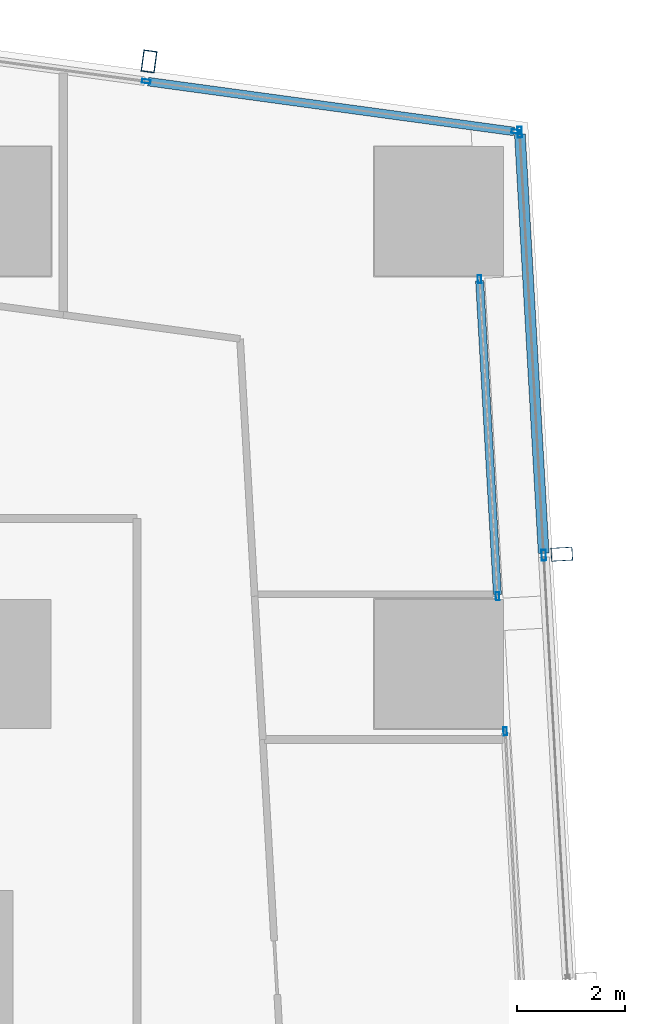
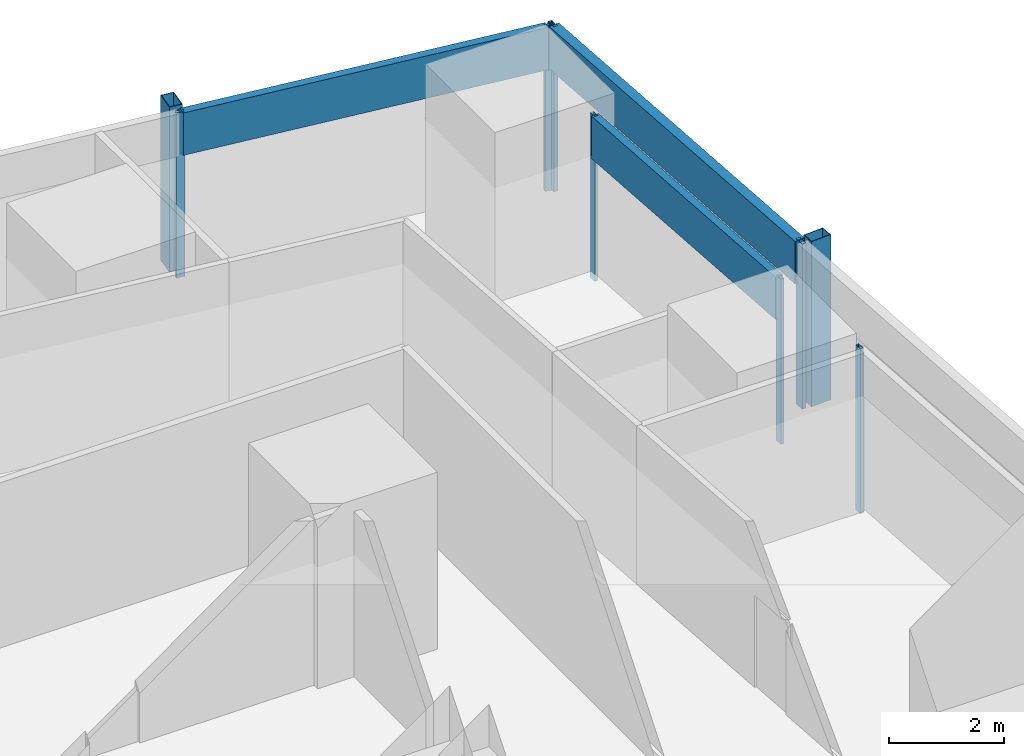
# One storey, part 21 of 37: 12 members, 4 elements without a shape of their own.
"""IFC4 building model written with IfcOpenShell, lengths in metres."""

from ifc_helpers import new_model, si_unit, direction, frame, origin, origin_2d, place, context, subcontext, project, spatial, hollow_rectangle, extrude, material, material_profile, profile_set, type_object, element, aggregate, save


model = new_model("IFC4")

# Units and contexts
model_context = context("Model", 3, precision=1e-05, world=origin(), true_north=direction((0.0, 1.0)))
body_context = subcontext(model_context, "Body", "Model", "MODEL_VIEW")
ifc_project = project(units=[si_unit("LENGTHUNIT", "METRE"), si_unit("AREAUNIT", "SQUARE_METRE"), si_unit("VOLUMEUNIT", "CUBIC_METRE"), si_unit("PLANEANGLEUNIT", "RADIAN"), si_unit("MASSUNIT", "GRAM", prefix="KILO")], contexts=[model_context])

# Site, building, storey
site_placement = place(None, origin())
site = spatial("IfcSite", under=ifc_project, at=site_placement, CompositionType="ELEMENT")
building_placement = place(site_placement, origin())
building = spatial("IfcBuilding", under=site, at=building_placement, Name="Rekha Terrace Tower", CompositionType="ELEMENT")
storey_placement = place(building_placement, frame((0.0, 0.0, 232.699951171875)))
storey = spatial("IfcBuildingStorey", under=building, at=storey_placement, Name="L59", CompositionType="ELEMENT", Elevation=232.699951171875)

# Curtain wall, member
ifc_material_1 = material(Name="Aluminium framing", Category="aluminium")
curtain_wall_type_1 = type_object("IfcCurtainWallType", Name="CW2 double skin outer glazing", PredefinedType="USERDEFINED", material=ifc_material_1)
curtain_wall_1_placement = place(storey_placement, origin())
curtain_wall_1 = element("IfcCurtainWall", 1, at=curtain_wall_1_placement, inside=storey, type_object=curtain_wall_type_1, Name="CW2 double skin outer glazing", ObjectType="DOUBLE SKIN OUTER GLAZING", PredefinedType="USERDEFINED")
ifc_material_2 = material(Name="Steel S355 with fluorocarbon finish", Category="steel")
ifc_material_profile_1 = material_profile(ifc_material_2, hollow_rectangle(XDim=0.25, YDim=0.39990234375, WallThickness=0.012451171875, at=origin_2d()), Name="RHS400x250x12.5")
ifc_profile_set_1 = profile_set([ifc_material_profile_1], Name="Steel S355 with fluorocarbon finish")
member_type_1 = type_object("IfcMemberType", Name="BL1 facade blade RHS 400 x 250", PredefinedType="USERDEFINED", material=ifc_profile_set_1)
member_1_placement = place(storey_placement, frame((61.080078125, 52.4375, 0.0), z_axis=(0.0, 0.0, 1.0), x_axis=(-0.056673619809, 0.998392758797, 0.0)))
member_1 = element("IfcMember", 2, at=member_1_placement, type_object=member_type_1, Name="Facade blade", ObjectType="FACADE BLADE", PredefinedType="USERDEFINED", context=body_context, shape_type="SweptSolid", body=[
    extrude(hollow_rectangle(XDim=0.25, YDim=0.39990234375, WallThickness=0.012451171875, at=origin_2d()), origin(), (0.0, 0.0, 1.0), 3.5),
])

curtain_wall_type_2 = type_object("IfcCurtainWallType", Name="CW3 north unitised glazing", PredefinedType="USERDEFINED", material=ifc_material_1)
curtain_wall_2_placement = place(storey_placement, origin())
curtain_wall_2 = element("IfcCurtainWall", 3, at=curtain_wall_2_placement, inside=storey, type_object=curtain_wall_type_2, Name="CW3 unitised curtain wall", ObjectType="UNITISED CURTAIN WALL", PredefinedType="USERDEFINED")
member_2_placement = place(storey_placement, frame((53.419921875, 61.583251953125, 0.0), z_axis=(0.0, 0.0, 1.0), x_axis=(-0.990867309488, 0.134840553943, 0.0)))
member_2 = element("IfcMember", 4, at=member_2_placement, type_object=member_type_1, Name="Facade blade", ObjectType="FACADE BLADE", PredefinedType="USERDEFINED", context=body_context, shape_type="SweptSolid", body=[
    extrude(hollow_rectangle(XDim=0.25, YDim=0.39990234375, WallThickness=0.012451171875, at=origin_2d()), origin(), (0.0, 0.0, 1.0), 3.5),
])

curtain_wall_type_3 = type_object("IfcCurtainWallType", Name="CW1 double skin inner glazing", PredefinedType="USERDEFINED", material=ifc_material_1)
curtain_wall_3_placement = place(storey_placement, origin())
curtain_wall_3 = element("IfcCurtainWall", 5, at=curtain_wall_3_placement, inside=storey, type_object=curtain_wall_type_3, Name="CW1 double skin inner glazing", ObjectType="DOUBLE SKIN INNER GLAZING", PredefinedType="USERDEFINED")
ifc_material_3 = material(Name="Aluminium mullion section", Category="aluminium")
ifc_material_profile_2 = material_profile(ifc_material_3, hollow_rectangle(XDim=0.06494140625, YDim=0.14990234375, WallThickness=0.00390625, at=origin_2d()), Name="AL RHS 65x150")
ifc_profile_set_2 = profile_set([ifc_material_profile_2], Name="Aluminium mullion section")
member_type_2 = type_object("IfcMemberType", Name="CW1 mullion RHS 65 x 150", PredefinedType="MULLION", material=ifc_profile_set_2)
member_3_placement = place(storey_placement, frame((60.02978515625, 49.149169921875, 0.0), z_axis=(0.0, 0.0, 1.0), x_axis=(-0.998392782918, -0.056673194877, 0.0)))
member_3 = element("IfcMember", 6, at=member_3_placement, type_object=member_type_2, Name="CW1 mullion 3", PredefinedType="MULLION", context=body_context, shape_type="SweptSolid", body=[
    extrude(hollow_rectangle(XDim=0.06494140625, YDim=0.14990234375, WallThickness=0.00390625, at=origin_2d()), origin(), (0.0, 0.0, 1.0), 3.5),
])
aggregate(curtain_wall_3, [member_3])

# Curtain wall, members
curtain_wall_4_placement = place(storey_placement, origin())
curtain_wall_4 = element("IfcCurtainWall", 7, at=curtain_wall_4_placement, inside=storey, type_object=curtain_wall_type_3, Name="CW1 double skin inner glazing", ObjectType="DOUBLE SKIN INNER GLAZING", PredefinedType="USERDEFINED")
member_4_placement = place(storey_placement, frame((59.887451171875, 51.65771484375, 0.0), z_axis=(0.0, 0.0, 1.0), x_axis=(-0.998392782918, -0.056673194877, 0.0)))
member_4 = element("IfcMember", 8, at=member_4_placement, type_object=member_type_2, Name="CW1 mullion 1", PredefinedType="MULLION", context=body_context, shape_type="SweptSolid", body=[
    extrude(hollow_rectangle(XDim=0.06494140625, YDim=0.14990234375, WallThickness=0.00390625, at=origin_2d()), origin(), (0.0, 0.0, 1.0), 3.5),
])
member_5_placement = place(storey_placement, frame((59.553466796875, 57.542236328125, 0.0), z_axis=(0.0, 0.0, 1.0), x_axis=(-0.998392782918, -0.056673194877, 0.0)))
member_5 = element("IfcMember", 9, at=member_5_placement, type_object=member_type_2, Name="CW1 mullion 2", PredefinedType="MULLION", context=body_context, shape_type="SweptSolid", body=[
    extrude(hollow_rectangle(XDim=0.06494140625, YDim=0.14990234375, WallThickness=0.00390625, at=origin_2d()), origin(), (0.0, 0.0, 1.0), 3.5),
])
ifc_material_4 = material(Name="Insulated aluminium spandrel box", Category="aluminium")
ifc_material_profile_3 = material_profile(ifc_material_4, hollow_rectangle(XDim=0.14990234375, YDim=0.89990234375, WallThickness=0.0029296875, at=origin_2d()), Name="AL SPANDREL BOX 150x900")
ifc_profile_set_3 = profile_set([ifc_material_profile_3], Name="Insulated aluminium spandrel box")
member_type_3 = type_object("IfcMemberType", Name="CW1 spandrel transom 150 x 900", PredefinedType="USERDEFINED", material=ifc_profile_set_3)
member_6_placement = place(storey_placement, frame((59.885498046875, 51.690185546875, 3.050048828125), z_axis=(-0.056669284541, 0.998393004878, 0.0), x_axis=(-0.998393004878, -0.056669284541, 0.0)))
member_6 = element("IfcMember", 10, at=member_6_placement, type_object=member_type_3, Name="CW1 spandrel transom 1", ObjectType="TRANSOM", PredefinedType="USERDEFINED", context=body_context, shape_type="SweptSolid", body=[
    extrude(hollow_rectangle(XDim=0.14990234375, YDim=0.89990234375, WallThickness=0.0029296875, at=origin_2d()), origin(), (0.0, 0.0, 1.0), 5.828857421875),
])
aggregate(curtain_wall_4, [member_4, member_5, member_6])

# Member
ifc_material_profile_4 = material_profile(ifc_material_3, hollow_rectangle(XDim=0.080078125, YDim=0.199951171875, WallThickness=0.00390625, at=origin_2d()), Name="AL RHS 80x200")
ifc_profile_set_4 = profile_set([ifc_material_profile_4], Name="Aluminium mullion section")
member_type_4 = type_object("IfcMemberType", Name="CW2 mullion RHS 80 x 200", PredefinedType="MULLION", material=ifc_profile_set_4)
member_7_placement = place(storey_placement, frame((60.74560546875, 52.41845703125, 0.0), z_axis=(0.0, 0.0, 1.0), x_axis=(-0.998392782919, -0.05667319486, 0.0)))
member_7 = element("IfcMember", 11, at=member_7_placement, type_object=member_type_4, Name="CW2 mullion 4", PredefinedType="MULLION", context=body_context, shape_type="SweptSolid", body=[
    extrude(hollow_rectangle(XDim=0.080078125, YDim=0.199951171875, WallThickness=0.00390625, at=origin_2d()), origin(), (0.0, 0.0, 1.0), 3.5),
])

member_8_placement = place(storey_placement, frame((60.300048828125, 60.269287109375, 0.0), z_axis=(0.0, 0.0, 1.0), x_axis=(-0.998392782919, -0.05667319486, 0.0)))
member_8 = element("IfcMember", 12, at=member_8_placement, type_object=member_type_4, Name="CW2 mullion 5", PredefinedType="MULLION", context=body_context, shape_type="SweptSolid", body=[
    extrude(hollow_rectangle(XDim=0.080078125, YDim=0.199951171875, WallThickness=0.00390625, at=origin_2d()), origin(), (0.0, 0.0, 1.0), 3.5),
])

ifc_material_profile_5 = material_profile(ifc_material_4, hollow_rectangle(XDim=0.199951171875, YDim=0.89990234375, WallThickness=0.0029296875, at=origin_2d()), Name="AL SPANDREL BOX 200x900")
ifc_profile_set_5 = profile_set([ifc_material_profile_5], Name="Insulated aluminium spandrel box")
member_type_5 = type_object("IfcMemberType", Name="CW2 spandrel transom 200 x 900", PredefinedType="USERDEFINED", material=ifc_profile_set_5)
member_9_placement = place(storey_placement, frame((60.743408203125, 52.45849609375, 3.050048828125), z_axis=(-0.05667908121, 0.998392448766, 0.0), x_axis=(-0.998392448766, -0.05667908121, 0.0)))
member_9 = element("IfcMember", 13, at=member_9_placement, type_object=member_type_5, Name="CW2 spandrel transom 4", ObjectType="TRANSOM", PredefinedType="USERDEFINED", context=body_context, shape_type="SweptSolid", body=[
    extrude(hollow_rectangle(XDim=0.199951171875, YDim=0.89990234375, WallThickness=0.0029296875, at=origin_2d()), origin(), (0.0, 0.0, 1.0), 7.783447265625),
])

aggregate(curtain_wall_1, [member_7, member_8, member_9, member_1])

ifc_material_profile_6 = material_profile(ifc_material_3, hollow_rectangle(XDim=0.070068359375, YDim=0.159912109375, WallThickness=0.00390625, at=origin_2d()), Name="AL RHS 70x160")
ifc_profile_set_6 = profile_set([ifc_material_profile_6], Name="Aluminium mullion section")
member_type_6 = type_object("IfcMemberType", Name="CW3 mullion RHS 70 x 160", PredefinedType="MULLION", material=ifc_profile_set_6)
member_10_placement = place(storey_placement, frame((60.22509765625, 60.27880859375, 0.0), z_axis=(0.0, 0.0, 1.0), x_axis=(-0.134840840416, -0.990867270504, 0.0)))
member_10 = element("IfcMember", 14, at=member_10_placement, type_object=member_type_6, Name="CW3 mullion 1", PredefinedType="MULLION", context=body_context, shape_type="SweptSolid", body=[
    extrude(hollow_rectangle(XDim=0.070068359375, YDim=0.159912109375, WallThickness=0.00390625, at=origin_2d()), origin(), (0.0, 0.0, 1.0), 3.5),
])

member_11_placement = place(storey_placement, frame((53.369384765625, 61.211669921875, 0.0), z_axis=(0.0, 0.0, 1.0), x_axis=(-0.134840840416, -0.990867270504, 0.0)))
member_11 = element("IfcMember", 15, at=member_11_placement, type_object=member_type_6, Name="CW3 mullion 2", PredefinedType="MULLION", context=body_context, shape_type="SweptSolid", body=[
    extrude(hollow_rectangle(XDim=0.070068359375, YDim=0.159912109375, WallThickness=0.00390625, at=origin_2d()), origin(), (0.0, 0.0, 1.0), 3.5),
])

ifc_material_profile_7 = material_profile(ifc_material_4, hollow_rectangle(XDim=0.159912109375, YDim=0.89990234375, WallThickness=0.0029296875, at=origin_2d()), Name="AL SPANDREL BOX 160x900")
ifc_profile_set_7 = profile_set([ifc_material_profile_7], Name="Insulated aluminium spandrel box")
member_type_7 = type_object("IfcMemberType", Name="CW3 spandrel transom 160 x 900", PredefinedType="USERDEFINED", material=ifc_profile_set_7)
member_12_placement = place(storey_placement, frame((60.190185546875, 60.283447265625, 3.050048828125), z_axis=(-0.990865276141, 0.134855495022, 0.0), x_axis=(-0.134855495022, -0.990865276141, 0.0)))
member_12 = element("IfcMember", 16, at=member_12_placement, type_object=member_type_7, Name="CW3 spandrel transom 1", ObjectType="TRANSOM", PredefinedType="USERDEFINED", context=body_context, shape_type="SweptSolid", body=[
    extrude(hollow_rectangle(XDim=0.159912109375, YDim=0.89990234375, WallThickness=0.0029296875, at=origin_2d()), origin(), (0.0, 0.0, 1.0), 6.8486328125),
])

aggregate(curtain_wall_2, [member_10, member_11, member_12, member_2])

save(model, "model.ifc")
